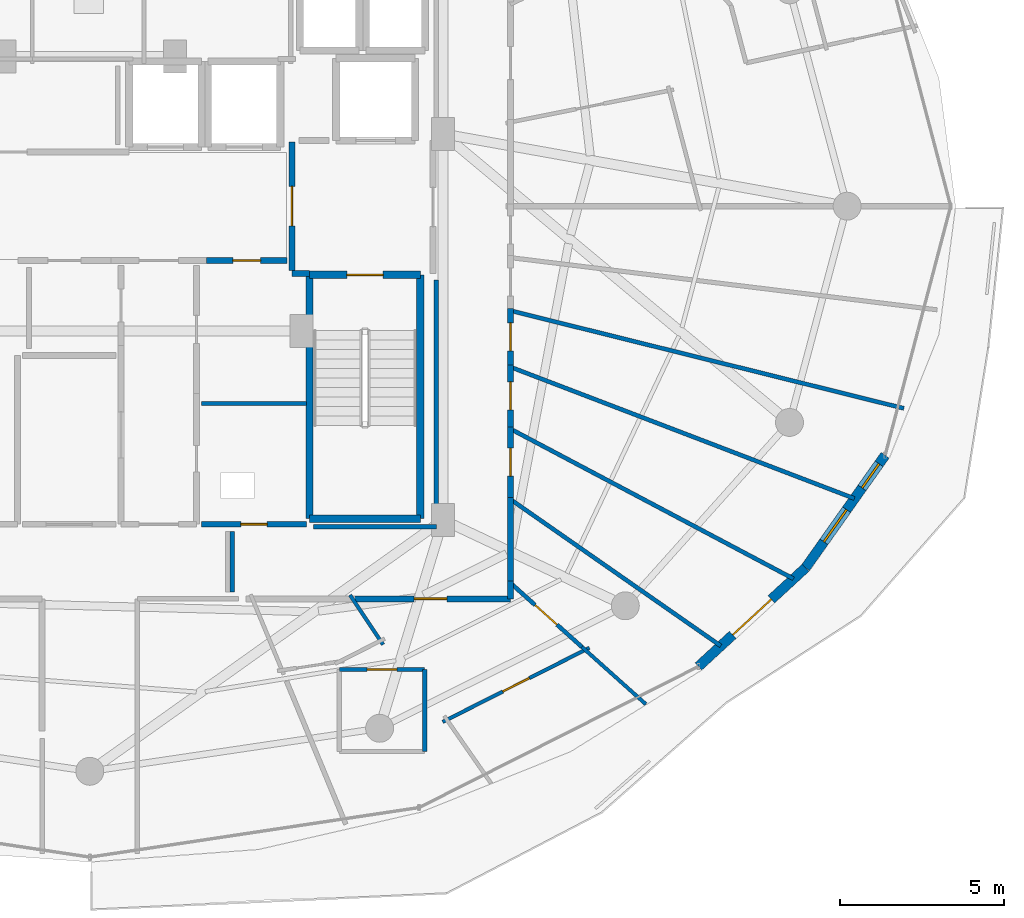
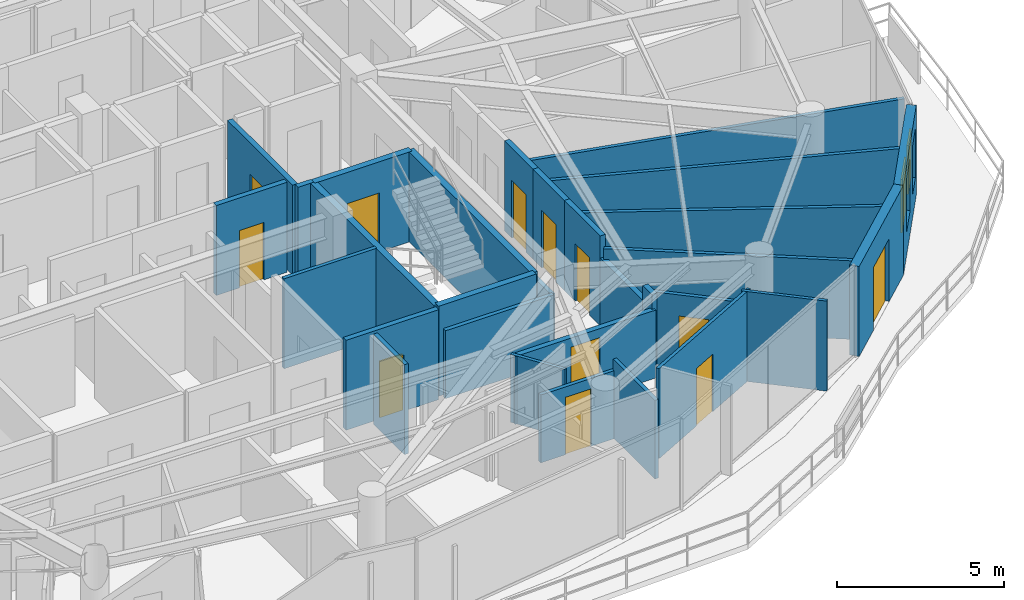
# One storey, part 23 of 29: 30 walls, 12 doors, 2 windows, 14 openings.
"""IFC4 building model written with IfcOpenShell, lengths in metres."""

from ifc_helpers import new_model, si_unit, direction, frame, frame_2d, origin, place, context, subcontext, project, spatial, rectangle, extrude, material, layer, layer_set, type_object, element, fill, save


model = new_model("IFC4")

# Units and contexts
model_context = context("Model", 3, precision=1e-05, world=origin(), true_north=direction((0.0, 1.0)))
body_context = subcontext(model_context, "Body", "Model", "MODEL_VIEW")
ifc_project = project(units=[si_unit("LENGTHUNIT", "METRE"), si_unit("AREAUNIT", "SQUARE_METRE"), si_unit("VOLUMEUNIT", "CUBIC_METRE"), si_unit("PLANEANGLEUNIT", "RADIAN"), si_unit("MASSUNIT", "GRAM", prefix="KILO")], contexts=[model_context])

# Site, building, storey
site_placement = place(None, origin())
site = spatial("IfcSite", under=ifc_project, at=site_placement, CompositionType="ELEMENT")
building_placement = place(site_placement, origin())
building = spatial("IfcBuilding", under=site, at=building_placement, Name="Vorneva Point Tower", CompositionType="ELEMENT")
storey_placement = place(building_placement, frame((0.0, 0.0, 255.550048828125)))
storey = spatial("IfcBuildingStorey", under=building, at=storey_placement, Name="L69", CompositionType="ELEMENT", Elevation=255.550048828125)

# Wall, opening, door
ifc_material_1 = material(Name="Precast concrete B50 (C40/50)", Category="concrete")
ifc_layer_1 = layer(ifc_material_1, 0.300048828125)
ifc_layer_set_1 = layer_set([ifc_layer_1], Name="Precast concrete B50 (C40/50)")
wall_type_1 = type_object("IfcWallType", Name="WL-EXT-300", PredefinedType="STANDARD", material=ifc_layer_set_1)
wall_1_placement = place(storey_placement, frame((56.526123046875, 11.9921875, 0.0), z_axis=(0.0, 0.0, 1.0), x_axis=(0.735445373611, 0.677584018727, 0.0)))
wall_1 = element("IfcWall", 1, at=wall_1_placement, inside=storey, type_object=wall_type_1, Name="L69 Pale-Metal Facade Spandrel Wall 15.1", PredefinedType="STANDARD", context=body_context, shape_type="SweptSolid", body=[
    extrude(rectangle(XDim=4.430419921875, YDim=0.300048828125, at=frame_2d((2.21533203125, 0.0))), origin(), (0.0, 0.0, 1.0), 3.2900390625),
])
opening_1_placement = place(wall_1_placement, frame((1.415283203125, 0.0, 0.0)))
opening_1 = element("IfcOpeningElement", 2, at=opening_1_placement, cuts=wall_1, Name="Opening BD-01", PredefinedType="OPENING", context=body_context, shape_type="SweptSolid", body=[
    extrude(rectangle(XDim=1.60009765625, YDim=2.300048828125, at=frame_2d((0.800048828125, 1.14990234375))), frame((0.0, 0.1650390625, 0.0), z_axis=(0.0, -1.0, 0.0), x_axis=(1.0, 0.0, 0.0)), (0.0, 0.0, 1.0), 0.329833984375),
])
ifc_material_2 = material(Name="Pale anodised aluminium", Category="aluminium")
door_type_1 = type_object("IfcDoorType", Name="DR-BAL-1600", OperationType="SLIDING_TO_LEFT", PredefinedType="DOOR", material=ifc_material_2)
door_1_placement = place(opening_1_placement, origin())
door_1 = element("IfcDoor", 3, at=door_1_placement, inside=storey, type_object=door_type_1, Name="L69 Balcony Terrace Access Door 15", OperationType="SLIDING_TO_LEFT", OverallHeight=2.300048828125, OverallWidth=1.60009765625, PredefinedType="DOOR", context=body_context, shape_type="SweptSolid", body=[
    extrude(rectangle(XDim=1.60009765625, YDim=2.300048828125, at=frame_2d((0.800048828125, 1.14990234375))), frame((0.0, 0.02490234375, 0.0), z_axis=(0.0, -1.0, 0.0), x_axis=(1.0, 0.0, 0.0)), (0.0, 0.0, 1.0), 0.050048828125),
])
fill(opening_1, door_1)

# Wall, openings, windows
wall_2_placement = place(storey_placement, frame((59.784423828125, 14.994140625, 0.0), z_axis=(0.0, 0.0, 1.0), x_axis=(0.577261247247, 0.816559521668, 0.0)))
wall_2 = element("IfcWall", 4, at=wall_2_placement, inside=storey, type_object=wall_type_1, Name="L69 Pale-Metal Facade Spandrel Wall 15.2", PredefinedType="STANDARD", context=body_context, shape_type="SweptSolid", body=[
    extrude(rectangle(XDim=4.194091796875, YDim=0.300048828125, at=frame_2d((2.09716796875, 0.0))), origin(), (0.0, 0.0, 1.0), 3.2900390625),
])
opening_2_placement = place(wall_2_placement, frame((0.966064453125, 0.0, 0.85009765625)))
opening_2 = element("IfcOpeningElement", 5, at=opening_2_placement, cuts=wall_2, Name="Opening W-04", PredefinedType="OPENING", context=body_context, shape_type="SweptSolid", body=[
    extrude(rectangle(XDim=1.199951171875, YDim=1.949951171875, at=frame_2d((0.60009765625, 0.97509765625))), frame((0.0, 0.1650390625, 0.0), z_axis=(0.0, -1.0, 0.0), x_axis=(1.0, 0.0, 0.0)), (0.0, 0.0, 1.0), 0.329833984375),
])
opening_3_placement = place(wall_2_placement, frame((2.976806640625, 0.0, 0.85009765625)))
opening_3 = element("IfcOpeningElement", 6, at=opening_3_placement, cuts=wall_2, Name="Opening W-08", PredefinedType="OPENING", context=body_context, shape_type="SweptSolid", body=[
    extrude(rectangle(XDim=0.89990234375, YDim=1.800048828125, at=frame_2d((0.449951171875, 0.89990234375))), frame((0.0, 0.1650390625, 0.0), z_axis=(0.0, -1.0, 0.0), x_axis=(1.0, 0.0, 0.0)), (0.0, 0.0, 1.0), 0.329833984375),
])
ifc_material_3 = material(Name="Double low-e laminated glass IGU", Category="glass")
window_type_1 = type_object("IfcWindowType", Name="WN-CAS-900", PartitioningType="SINGLE_PANEL", PredefinedType="WINDOW", material=ifc_material_3)
window_1_placement = place(opening_3_placement, origin())
window_1 = element("IfcWindow", 7, at=window_1_placement, inside=storey, type_object=window_type_1, Name="L69 Dwelling Vision Window 05", OverallHeight=1.800048828125, OverallWidth=0.89990234375, PartitioningType="SINGLE_PANEL", PredefinedType="WINDOW", context=body_context, shape_type="SweptSolid", body=[
    extrude(rectangle(XDim=0.89990234375, YDim=1.800048828125, at=frame_2d((0.449951171875, 0.89990234375))), frame((0.0, 0.030029296875, 0.0), z_axis=(0.0, -1.0, 0.0), x_axis=(1.0, 0.0, 0.0)), (0.0, 0.0, 1.0), 0.06005859375),
])
fill(opening_3, window_1)
window_type_2 = type_object("IfcWindowType", Name="WN-RES-1200", PartitioningType="SINGLE_PANEL", PredefinedType="WINDOW", material=ifc_material_3)
window_2_placement = place(opening_2_placement, origin())
window_2 = element("IfcWindow", 8, at=window_2_placement, inside=storey, type_object=window_type_2, Name="L69 Dwelling Vision Window 04", OverallHeight=1.949951171875, OverallWidth=1.199951171875, PartitioningType="SINGLE_PANEL", PredefinedType="WINDOW", context=body_context, shape_type="SweptSolid", body=[
    extrude(rectangle(XDim=1.199951171875, YDim=1.949951171875, at=frame_2d((0.60009765625, 0.97509765625))), frame((0.0, 0.030029296875, 0.0), z_axis=(0.0, -1.0, 0.0), x_axis=(1.0, 0.0, 0.0)), (0.0, 0.0, 1.0), 0.06005859375),
])
fill(opening_2, window_2)

# Wall
ifc_material_4 = material(Name="Fire-rated acoustic gypsum stud partition", Category="gypsum")
ifc_layer_2 = layer(ifc_material_4, 0.110107421875)
ifc_layer_set_2 = layer_set([ifc_layer_2], Name="Fire-rated acoustic gypsum stud partition")
wall_type_2 = type_object("IfcWallType", Name="WL-PART-110", PredefinedType="PARTITIONING", material=ifc_layer_set_2)
wall_3_placement = place(storey_placement, frame((45.918212890625, 14.16650390625, 0.0), z_axis=(0.0, 0.0, 1.0), x_axis=(0.555785343288, -0.831325839961, 0.0)))
element("IfcWall", 9, at=wall_3_placement, inside=storey, type_object=wall_type_2, Name="L69 Interior Partition 107", PredefinedType="PARTITIONING", context=body_context, shape_type="SweptSolid", body=[
    extrude(rectangle(XDim=1.81640625, YDim=0.110107421875, at=frame_2d((0.908203125, 0.0))), origin(), (0.0, 0.0, 1.0), 2.48193359375),
])

# Wall, opening, door
wall_4_placement = place(storey_placement, frame((48.743896484375, 10.304931640625, 0.0), z_axis=(0.0, 0.0, 1.0), x_axis=(0.892523078089, 0.45100172403, 0.0)))
wall_4 = element("IfcWall", 10, at=wall_4_placement, inside=storey, type_object=wall_type_2, Name="L69 Interior Partition 111", PredefinedType="PARTITIONING", context=body_context, shape_type="SweptSolid", body=[
    extrude(rectangle(XDim=4.995849609375, YDim=0.110107421875, at=frame_2d((2.498046875, 0.0))), origin(), (0.0, 0.0, 1.0), 3.2900390625),
])
opening_4_placement = place(wall_4_placement, frame((2.048095703125, 0.0, 0.0)))
opening_4 = element("IfcOpeningElement", 11, at=opening_4_placement, cuts=wall_4, Name="Opening ID-01", PredefinedType="OPENING", context=body_context, shape_type="SweptSolid", body=[
    extrude(rectangle(XDim=0.89990234375, YDim=2.10009765625, at=frame_2d((0.449951171875, 1.050048828125))), frame((0.0, 0.06982421875, 0.0), z_axis=(0.0, -1.0, 0.0), x_axis=(1.0, 0.0, 0.0)), (0.0, 0.0, 1.0), 0.139892578125),
])
ifc_material_5 = material(Name="Engineered oak fire-rated door leaf", Category="wood")
door_type_2 = type_object("IfcDoorType", Name="DR-ROOM-900", OperationType="NOTDEFINED", PredefinedType="DOOR", material=ifc_material_5)
door_2_placement = place(opening_4_placement, origin())
door_2 = element("IfcDoor", 12, at=door_2_placement, inside=storey, type_object=door_type_2, Name="L69 Door Living and Dining Room L69-03 / Kitchen L69-03", OperationType="SINGLE_SWING_RIGHT", OverallHeight=2.10009765625, OverallWidth=0.89990234375, PredefinedType="DOOR", context=body_context, shape_type="SweptSolid", body=[
    extrude(rectangle(XDim=0.89990234375, YDim=2.10009765625, at=frame_2d((0.449951171875, 1.050048828125))), frame((0.0, 0.02490234375, 0.0), z_axis=(0.0, -1.0, 0.0), x_axis=(1.0, 0.0, 0.0)), (0.0, 0.0, 1.0), 0.050048828125),
])
fill(opening_4, door_2)

# Walls
wall_5_placement = place(storey_placement, frame((52.9736328125, 12.58837890625, 0.0), z_axis=(0.0, 0.0, 1.0), x_axis=(0.744980199756, -0.667086577568, 0.0)))
element("IfcWall", 13, at=wall_5_placement, inside=storey, type_object=wall_type_2, Name="L69 Interior Partition 112", PredefinedType="PARTITIONING", context=body_context, shape_type="SweptSolid", body=[
    extrude(rectangle(XDim=2.6171875, YDim=0.110107421875, at=frame_2d((1.30859375, 0.0))), origin(), (0.0, 0.0, 1.0), 3.2900390625),
])
ifc_layer_3 = layer(ifc_material_4, 0.125)
ifc_layer_set_3 = layer_set([ifc_layer_3], Name="Fire-rated acoustic gypsum stud partition")
wall_type_3 = type_object("IfcWallType", Name="WL-PART-125", PredefinedType="PARTITIONING", material=ifc_layer_set_3)
wall_6_placement = place(storey_placement, frame((44.60009765625, 20.0, 0.0), z_axis=(0.0, 0.0, 1.0), x_axis=(-1.0, 0.0, 0.0)))
element("IfcWall", 14, at=wall_6_placement, inside=storey, type_object=wall_type_3, Name="L69 Interior Partition 020", PredefinedType="PARTITIONING", context=body_context, shape_type="SweptSolid", body=[
    extrude(rectangle(XDim=3.2001953125, YDim=0.125, at=frame_2d((1.60009765625, 0.0))), origin(), (0.0, 0.0, 1.0), 3.2900390625),
])

# Wall, opening, door
wall_7_placement = place(storey_placement, frame((48.194091796875, 11.902099609375, 0.0), z_axis=(0.0, 0.0, 1.0), x_axis=(-1.0, 0.0, 0.0)))
wall_7 = element("IfcWall", 15, at=wall_7_placement, inside=storey, type_object=wall_type_3, Name="L69 Interior Partition 114", PredefinedType="PARTITIONING", context=body_context, shape_type="SweptSolid", body=[
    extrude(rectangle(XDim=2.60009765625, YDim=0.125, at=frame_2d((1.300048828125, 0.0))), origin(), (0.0, 0.0, 1.0), 2.48193359375),
])
opening_5_placement = place(wall_7_placement, frame((0.85009765625, 0.0, 0.0)))
opening_5 = element("IfcOpeningElement", 16, at=opening_5_placement, cuts=wall_7, Name="Opening ID-01", PredefinedType="OPENING", context=body_context, shape_type="SweptSolid", body=[
    extrude(rectangle(XDim=0.89990234375, YDim=2.10009765625, at=frame_2d((0.449951171875, 1.050048828125))), frame((0.0, 0.077392578125, 0.0), z_axis=(0.0, -1.0, 0.0), x_axis=(1.0, 0.0, 0.0)), (0.0, 0.0, 1.0), 0.15478515625),
])
door_3_placement = place(opening_5_placement, origin())
door_3 = element("IfcDoor", 17, at=door_3_placement, inside=storey, type_object=door_type_2, Name="L69 Door Living and Dining Room L69-03 / Study Room L69-03", OperationType="SINGLE_SWING_LEFT", OverallHeight=2.10009765625, OverallWidth=0.89990234375, PredefinedType="DOOR", context=body_context, shape_type="SweptSolid", body=[
    extrude(rectangle(XDim=0.89990234375, YDim=2.10009765625, at=frame_2d((0.449951171875, 1.050048828125))), frame((0.0, 0.02490234375, 0.0), z_axis=(0.0, -1.0, 0.0), x_axis=(1.0, 0.0, 0.0)), (0.0, 0.0, 1.0), 0.050048828125),
])
fill(opening_5, door_3)

# Wall
wall_8_placement = place(storey_placement, frame((48.194091796875, 9.402099609375, 0.0), z_axis=(0.0, 0.0, 1.0), x_axis=(0.0, 1.0, 0.0)))
element("IfcWall", 18, at=wall_8_placement, inside=storey, type_object=wall_type_3, Name="L69 Interior Partition 117", PredefinedType="PARTITIONING", context=body_context, shape_type="SweptSolid", body=[
    extrude(rectangle(XDim=2.5, YDim=0.125, at=frame_2d((1.25, 0.0))), origin(), (0.0, 0.0, 1.0), 2.8740234375),
])

# Wall, opening, door
wall_9_placement = place(storey_placement, frame((52.9736328125, 12.58837890625, 0.0), z_axis=(0.0, 0.0, 1.0), x_axis=(-0.744943619707, 0.667127426702, 0.0)))
wall_9 = element("IfcWall", 19, at=wall_9_placement, inside=storey, type_object=wall_type_3, Name="L69 Interior Partition 118", PredefinedType="PARTITIONING", context=body_context, shape_type="SweptSolid", body=[
    extrude(rectangle(XDim=2.917724609375, YDim=0.125, at=frame_2d((1.458984375, 0.0))), origin(), (0.0, 0.0, 1.0), 2.8740234375),
])
opening_6_placement = place(wall_9_placement, frame((1.009033203125, 0.0, 0.0)))
opening_6 = element("IfcOpeningElement", 20, at=opening_6_placement, cuts=wall_9, Name="Opening ID-01", PredefinedType="OPENING", context=body_context, shape_type="SweptSolid", body=[
    extrude(rectangle(XDim=0.89990234375, YDim=2.10009765625, at=frame_2d((0.449951171875, 1.050048828125))), frame((0.0, 0.077392578125, 0.0), z_axis=(0.0, -1.0, 0.0), x_axis=(1.0, 0.0, 0.0)), (0.0, 0.0, 1.0), 0.15478515625),
])
door_4_placement = place(opening_6_placement, origin())
door_4 = element("IfcDoor", 21, at=door_4_placement, inside=storey, type_object=door_type_2, Name="L69 Door Living and Dining Room L69-03 / Master Bedroom L69-03.1", OperationType="SINGLE_SWING_RIGHT", OverallHeight=2.10009765625, OverallWidth=0.89990234375, PredefinedType="DOOR", context=body_context, shape_type="SweptSolid", body=[
    extrude(rectangle(XDim=0.89990234375, YDim=2.10009765625, at=frame_2d((0.449951171875, 1.050048828125))), frame((0.0, 0.02490234375, 0.0), z_axis=(0.0, -1.0, 0.0), x_axis=(1.0, 0.0, 0.0)), (0.0, 0.0, 1.0), 0.050048828125),
])
fill(opening_6, door_4)

# Walls
wall_10_placement = place(storey_placement, frame((57.202880859375, 12.616943359375, 0.0), z_axis=(0.0, 0.0, 1.0), x_axis=(-0.820423513177, 0.571756293386, 0.0)))
element("IfcWall", 22, at=wall_10_placement, inside=storey, type_object=wall_type_3, Name="L69 Interior Partition 119", PredefinedType="PARTITIONING", context=body_context, shape_type="SweptSolid", body=[
    extrude(rectangle(XDim=7.80419921875, YDim=0.125, at=frame_2d((3.902099609375, 0.0))), origin(), (0.0, 0.0, 1.0), 2.8740234375),
])
wall_11_placement = place(storey_placement, frame((59.4169921875, 14.659912109375, 0.0), z_axis=(0.0, 0.0, 1.0), x_axis=(-0.883742233358, 0.467974000325, 0.0)))
element("IfcWall", 23, at=wall_11_placement, inside=storey, type_object=wall_type_3, Name="L69 Interior Partition 120", PredefinedType="PARTITIONING", context=body_context, shape_type="SweptSolid", body=[
    extrude(rectangle(XDim=9.75048828125, YDim=0.125, at=frame_2d((4.875244140625, 0.0))), origin(), (0.0, 0.0, 1.0), 2.8740234375),
])
wall_12_placement = place(storey_placement, frame((61.27099609375, 17.10205078125, 0.0), z_axis=(0.0, 0.0, 1.0), x_axis=(-0.934042646632, 0.357161496066, 0.0)))
element("IfcWall", 24, at=wall_12_placement, inside=storey, type_object=wall_type_3, Name="L69 Interior Partition 121", PredefinedType="PARTITIONING", context=body_context, shape_type="SweptSolid", body=[
    extrude(rectangle(XDim=11.21044921875, YDim=0.125, at=frame_2d((5.605224609375, 0.0))), origin(), (0.0, 0.0, 1.0), 2.8740234375),
])
wall_13_placement = place(storey_placement, frame((62.77587890625, 19.845947265625, 0.0), z_axis=(0.0, 0.0, 1.0), x_axis=(-0.970519565335, 0.241022350211, 0.0)))
element("IfcWall", 25, at=wall_13_placement, inside=storey, type_object=wall_type_3, Name="L69 Interior Partition 122", PredefinedType="PARTITIONING", context=body_context, shape_type="SweptSolid", body=[
    extrude(rectangle(XDim=12.339599609375, YDim=0.125, at=frame_2d((6.169921875, 0.0))), origin(), (0.0, 0.0, 1.0), 2.48193359375),
])
ifc_layer_4 = layer(ifc_material_4, 0.139892578125)
ifc_layer_set_4 = layer_set([ifc_layer_4], Name="Fire-rated acoustic gypsum stud partition")
wall_type_4 = type_object("IfcWallType", Name="WL-PART-140", PredefinedType="PARTITIONING", material=ifc_layer_set_4)
wall_14_placement = place(storey_placement, frame((42.340087890625, 14.25, 0.0), z_axis=(0.0, 0.0, 1.0), x_axis=(0.0, 1.0, 0.0)))
element("IfcWall", 26, at=wall_14_placement, inside=storey, type_object=wall_type_4, Name="L69 Interior Closure Partition 158", PredefinedType="PARTITIONING", context=body_context, shape_type="SweptSolid", body=[
    extrude(rectangle(XDim=1.85009765625, YDim=0.139892578125, at=frame_2d((0.925048828125, 0.0))), origin(), (0.0, 0.0, 1.0), 3.2900390625),
])
wall_15_placement = place(storey_placement, frame((44.804931640625, 16.239990234375, 0.0), z_axis=(0.0, 0.0, 1.0), x_axis=(1.0, 0.0, 0.0)))
element("IfcWall", 27, at=wall_15_placement, inside=storey, type_object=wall_type_4, Name="L69 Interior Closure Partition 159", PredefinedType="PARTITIONING", context=body_context, shape_type="SweptSolid", body=[
    extrude(rectangle(XDim=3.7451171875, YDim=0.139892578125, at=frame_2d((1.87255859375, 0.0))), origin(), (0.0, 0.0, 1.0), 2.48193359375),
])
wall_16_placement = place(storey_placement, frame((48.550048828125, 16.239990234375, 0.0), z_axis=(0.0, 0.0, 1.0), x_axis=(0.0, 1.0, 0.0)))
element("IfcWall", 28, at=wall_16_placement, inside=storey, type_object=wall_type_4, Name="L69 Interior Closure Partition 160", PredefinedType="PARTITIONING", context=body_context, shape_type="SweptSolid", body=[
    extrude(rectangle(XDim=7.513916015625, YDim=0.139892578125, at=frame_2d((3.7568359375, 0.0))), origin(), (0.0, 0.0, 1.0), 2.48193359375),
])

# Wall, opening, door
ifc_material_6 = material(Name="Autoclaved aerated concrete blockwork", Category="masonry")
ifc_layer_5 = layer(ifc_material_6, 0.179931640625)
ifc_layer_set_5 = layer_set([ifc_layer_5], Name="Autoclaved aerated concrete blockwork")
wall_type_5 = type_object("IfcWallType", Name="WL-PART-180", PredefinedType="PARTITIONING", material=ifc_layer_set_5)
wall_17_placement = place(storey_placement, frame((44.14990234375, 27.955078125, 0.0), z_axis=(0.0, 0.0, 1.0), x_axis=(0.0, -1.0, 0.0)))
wall_17 = element("IfcWall", 29, at=wall_17_placement, inside=storey, type_object=wall_type_5, Name="L69 Interior Partition 003", PredefinedType="PARTITIONING", context=body_context, shape_type="SweptSolid", body=[
    extrude(rectangle(XDim=3.91015625, YDim=0.179931640625, at=frame_2d((1.955078125, 0.0))), origin(), (0.0, 0.0, 1.0), 3.2900390625),
])
opening_7_placement = place(wall_17_placement, frame((1.35498046875, 0.0, 0.0)))
opening_7 = element("IfcOpeningElement", 30, at=opening_7_placement, cuts=wall_17, Name="Opening FD-02", PredefinedType="OPENING", context=body_context, shape_type="SweptSolid", body=[
    extrude(rectangle(XDim=1.199951171875, YDim=2.14990234375, at=frame_2d((0.60009765625, 1.074951171875))), frame((0.0, 0.10498046875, 0.0), z_axis=(0.0, -1.0, 0.0), x_axis=(1.0, 0.0, 0.0)), (0.0, 0.0, 1.0), 0.209716796875),
])
ifc_material_7 = material(Name="Fire-rated powder-coated steel", Category="steel")
door_type_3 = type_object("IfcDoorType", Name="DR-FFL-1200", OperationType="NOTDEFINED", PredefinedType="DOOR", material=ifc_material_7)
door_5_placement = place(opening_7_placement, origin())
door_5 = element("IfcDoor", 31, at=door_5_placement, inside=storey, type_object=door_type_3, Name="L69 Door East Firefighting Lobby / Central Lift Lobby", OperationType="SINGLE_SWING_LEFT", OverallHeight=2.14990234375, OverallWidth=1.199951171875, PredefinedType="DOOR", context=body_context, shape_type="SweptSolid", body=[
    extrude(rectangle(XDim=1.199951171875, YDim=2.14990234375, at=frame_2d((0.60009765625, 1.074951171875))), frame((0.0, 0.02490234375, 0.0), z_axis=(0.0, -1.0, 0.0), x_axis=(1.0, 0.0, 0.0)), (0.0, 0.0, 1.0), 0.050048828125),
])
fill(opening_7, door_5)

# Wall
wall_18_placement = place(storey_placement, frame((44.14990234375, 23.949951171875, 0.0), z_axis=(0.0, 0.0, 1.0), x_axis=(1.0, 0.0, 0.0)))
element("IfcWall", 32, at=wall_18_placement, inside=storey, type_object=wall_type_5, Name="L69 Interior Partition 004", PredefinedType="PARTITIONING", context=body_context, shape_type="SweptSolid", body=[
    extrude(rectangle(XDim=0.5400390625, YDim=0.179931640625, at=frame_2d((0.27001953125, 0.0))), origin(), (0.0, 0.0, 1.0), 3.2900390625),
])

# Wall, opening, door
wall_19_placement = place(storey_placement, frame((41.554931640625, 24.35009765625, 0.0), z_axis=(0.0, 0.0, 1.0), x_axis=(1.0, 0.0, 0.0)))
wall_19 = element("IfcWall", 33, at=wall_19_placement, inside=storey, type_object=wall_type_5, Name="L69 Interior Partition 011", PredefinedType="PARTITIONING", context=body_context, shape_type="SweptSolid", body=[
    extrude(rectangle(XDim=2.445068359375, YDim=0.179931640625, at=frame_2d((1.22265625, 0.0))), origin(), (0.0, 0.0, 1.0), 3.2900390625),
])
opening_8_placement = place(wall_19_placement, frame((0.797607421875, 0.0, 0.0)))
opening_8 = element("IfcOpeningElement", 34, at=opening_8_placement, cuts=wall_19, Name="Opening ID-02", PredefinedType="OPENING", context=body_context, shape_type="SweptSolid", body=[
    extrude(rectangle(XDim=0.85009765625, YDim=2.10009765625, at=frame_2d((0.425048828125, 1.050048828125))), frame((0.0, 0.10498046875, 0.0), z_axis=(0.0, -1.0, 0.0), x_axis=(1.0, 0.0, 0.0)), (0.0, 0.0, 1.0), 0.209716796875),
])
door_type_4 = type_object("IfcDoorType", Name="DR-BATH-850", OperationType="NOTDEFINED", PredefinedType="DOOR", material=ifc_material_5)
door_6_placement = place(opening_8_placement, origin())
door_6 = element("IfcDoor", 35, at=door_6_placement, inside=storey, type_object=door_type_4, Name="L69 Door Central Lift Lobby / Valet and Parcel Room", OperationType="SINGLE_SWING_RIGHT", OverallHeight=2.10009765625, OverallWidth=0.85009765625, PredefinedType="DOOR", context=body_context, shape_type="SweptSolid", body=[
    extrude(rectangle(XDim=0.85009765625, YDim=2.10009765625, at=frame_2d((0.425048828125, 1.050048828125))), frame((0.0, 0.02490234375, 0.0), z_axis=(0.0, -1.0, 0.0), x_axis=(1.0, 0.0, 0.0)), (0.0, 0.0, 1.0), 0.050048828125),
])
fill(opening_8, door_6)

wall_20_placement = place(storey_placement, frame((41.39990234375, 16.320068359375, 0.0), z_axis=(0.0, 0.0, 1.0), x_axis=(1.0, 0.0, 0.0)))
wall_20 = element("IfcWall", 36, at=wall_20_placement, inside=storey, type_object=wall_type_5, Name="L69 Interior Partition 021", PredefinedType="PARTITIONING", context=body_context, shape_type="SweptSolid", body=[
    extrude(rectangle(XDim=3.2001953125, YDim=0.179931640625, at=frame_2d((1.60009765625, 0.0))), origin(), (0.0, 0.0, 1.0), 3.2900390625),
])
opening_9_placement = place(wall_20_placement, frame((1.199951171875, 0.0, 0.0)))
opening_9 = element("IfcOpeningElement", 37, at=opening_9_placement, cuts=wall_20, Name="Opening RD-01", PredefinedType="OPENING", context=body_context, shape_type="SweptSolid", body=[
    extrude(rectangle(XDim=0.800048828125, YDim=2.050048828125, at=frame_2d((0.39990234375, 1.02490234375))), frame((0.0, 0.10498046875, 0.0), z_axis=(0.0, -1.0, 0.0), x_axis=(1.0, 0.0, 0.0)), (0.0, 0.0, 1.0), 0.209716796875),
])
door_type_5 = type_object("IfcDoorType", Name="DR-RSR-800", OperationType="SINGLE_SWING_LEFT", PredefinedType="DOOR", material=ifc_material_7)
door_7_placement = place(opening_9_placement, origin())
door_7 = element("IfcDoor", 38, at=door_7_placement, inside=storey, type_object=door_type_5, Name="L69 Door Electrical Riser / L69 Circulation Corridor", OperationType="SINGLE_SWING_LEFT", OverallHeight=2.050048828125, OverallWidth=0.800048828125, PredefinedType="DOOR", context=body_context, shape_type="SweptSolid", body=[
    extrude(rectangle(XDim=0.800048828125, YDim=2.050048828125, at=frame_2d((0.39990234375, 1.02490234375))), frame((0.0, 0.02490234375, 0.0), z_axis=(0.0, -1.0, 0.0), x_axis=(1.0, 0.0, 0.0)), (0.0, 0.0, 1.0), 0.050048828125),
])
fill(opening_9, door_7)

wall_21_placement = place(storey_placement, frame((45.93603515625, 14.050048828125, 0.0), z_axis=(0.0, 0.0, 1.0), x_axis=(1.0, 0.0, 0.0)))
wall_21 = element("IfcWall", 39, at=wall_21_placement, inside=storey, type_object=wall_type_5, Name="L69 Interior Partition 048", PredefinedType="PARTITIONING", context=body_context, shape_type="SweptSolid", body=[
    extrude(rectangle(XDim=4.864013671875, YDim=0.179931640625, at=frame_2d((2.43212890625, 0.0))), origin(), (0.0, 0.0, 1.0), 2.48193359375),
])
opening_10_placement = place(wall_21_placement, frame((1.931884765625, 0.0, 0.0)))
opening_10 = element("IfcOpeningElement", 40, at=opening_10_placement, cuts=wall_21, Name="Opening UD-01", PredefinedType="OPENING", context=body_context, shape_type="SweptSolid", body=[
    extrude(rectangle(XDim=1.0, YDim=2.14990234375, at=frame_2d((0.5, 1.074951171875))), frame((0.0, 0.10498046875, 0.0), z_axis=(0.0, -1.0, 0.0), x_axis=(1.0, 0.0, 0.0)), (0.0, 0.0, 1.0), 0.209716796875),
])
door_type_6 = type_object("IfcDoorType", Name="DR-UNIT-1000", OperationType="NOTDEFINED", PredefinedType="DOOR", material=ifc_material_5)
door_8_placement = place(opening_10_placement, origin())
door_8 = element("IfcDoor", 41, at=door_8_placement, inside=storey, type_object=door_type_6, Name="L69 Door L69 Circulation Corridor / Living and Dining Room L69-03", OperationType="SINGLE_SWING_LEFT", OverallHeight=2.14990234375, OverallWidth=1.0, PredefinedType="DOOR", context=body_context, shape_type="SweptSolid", body=[
    extrude(rectangle(XDim=1.0, YDim=2.14990234375, at=frame_2d((0.5, 1.074951171875))), frame((0.0, 0.02490234375, 0.0), z_axis=(0.0, -1.0, 0.0), x_axis=(1.0, 0.0, 0.0)), (0.0, 0.0, 1.0), 0.050048828125),
])
fill(opening_10, door_8)

# Walls
wall_22_placement = place(storey_placement, frame((50.800048828125, 14.050048828125, 0.0), z_axis=(0.0, 0.0, 1.0), x_axis=(0.0, 1.0, 0.0)))
element("IfcWall", 42, at=wall_22_placement, inside=storey, type_object=wall_type_5, Name="L69 Interior Partition 049", PredefinedType="PARTITIONING", context=body_context, shape_type="SweptSolid", body=[
    extrude(rectangle(XDim=0.544921875, YDim=0.179931640625, at=frame_2d((0.2724609375, 0.0))), origin(), (0.0, 0.0, 1.0), 3.02197265625),
])
wall_23_placement = place(storey_placement, frame((50.800048828125, 14.594970703125, 0.0), z_axis=(0.0, 0.0, 1.0), x_axis=(0.0, 1.0, 0.0)))
element("IfcWall", 43, at=wall_23_placement, inside=storey, type_object=wall_type_5, Name="L69 Interior Partition 051", PredefinedType="PARTITIONING", context=body_context, shape_type="SweptSolid", body=[
    extrude(rectangle(XDim=2.5439453125, YDim=0.179931640625, at=frame_2d((1.27197265625, 0.0))), origin(), (0.0, 0.0, 1.0), 2.48193359375),
])

# Wall, opening, door
wall_24_placement = place(storey_placement, frame((50.800048828125, 17.138916015625, 0.0), z_axis=(0.0, 0.0, 1.0), x_axis=(0.0, 1.0, 0.0)))
wall_24 = element("IfcWall", 44, at=wall_24_placement, inside=storey, type_object=wall_type_5, Name="L69 Interior Partition 052", PredefinedType="PARTITIONING", context=body_context, shape_type="SweptSolid", body=[
    extrude(rectangle(XDim=2.14404296875, YDim=0.179931640625, at=frame_2d((1.072021484375, 0.0))), origin(), (0.0, 0.0, 1.0), 3.2900390625),
])
opening_11_placement = place(wall_24_placement, frame((0.64697265625, 0.0, 0.0)))
opening_11 = element("IfcOpeningElement", 45, at=opening_11_placement, cuts=wall_24, Name="Opening ID-02", PredefinedType="OPENING", context=body_context, shape_type="SweptSolid", body=[
    extrude(rectangle(XDim=0.85009765625, YDim=2.10009765625, at=frame_2d((0.425048828125, 1.050048828125))), frame((0.0, 0.10498046875, 0.0), z_axis=(0.0, -1.0, 0.0), x_axis=(1.0, 0.0, 0.0)), (0.0, 0.0, 1.0), 0.209716796875),
])
door_9_placement = place(opening_11_placement, origin())
door_9 = element("IfcDoor", 46, at=door_9_placement, inside=storey, type_object=door_type_4, Name="L69 Access Door L69 Circulation Corridor", OperationType="SINGLE_SWING_LEFT", OverallHeight=2.10009765625, OverallWidth=0.85009765625, PredefinedType="DOOR", context=body_context, shape_type="SweptSolid", body=[
    extrude(rectangle(XDim=0.85009765625, YDim=2.10009765625, at=frame_2d((0.425048828125, 1.050048828125))), frame((0.0, 0.02490234375, 0.0), z_axis=(0.0, -1.0, 0.0), x_axis=(1.0, 0.0, 0.0)), (0.0, 0.0, 1.0), 0.050048828125),
])
fill(opening_11, door_9)

wall_25_placement = place(storey_placement, frame((50.800048828125, 19.282958984375, 0.0), z_axis=(0.0, 0.0, 1.0), x_axis=(0.0, 1.0, 0.0)))
wall_25 = element("IfcWall", 47, at=wall_25_placement, inside=storey, type_object=wall_type_5, Name="L69 Interior Partition 053", PredefinedType="PARTITIONING", context=body_context, shape_type="SweptSolid", body=[
    extrude(rectangle(XDim=1.883056640625, YDim=0.179931640625, at=frame_2d((0.94140625, 0.0))), origin(), (0.0, 0.0, 1.0), 3.2900390625),
])
opening_12_placement = place(wall_25_placement, frame((0.5166015625, 0.0, 0.0)))
opening_12 = element("IfcOpeningElement", 48, at=opening_12_placement, cuts=wall_25, Name="Opening ID-02", PredefinedType="OPENING", context=body_context, shape_type="SweptSolid", body=[
    extrude(rectangle(XDim=0.85009765625, YDim=2.10009765625, at=frame_2d((0.425048828125, 1.050048828125))), frame((0.0, 0.10498046875, 0.0), z_axis=(0.0, -1.0, 0.0), x_axis=(1.0, 0.0, 0.0)), (0.0, 0.0, 1.0), 0.209716796875),
])
door_10_placement = place(opening_12_placement, origin())
door_10 = element("IfcDoor", 49, at=door_10_placement, inside=storey, type_object=door_type_4, Name="L69 Access Door L69 Circulation Corridor", OperationType="SINGLE_SWING_RIGHT", OverallHeight=2.10009765625, OverallWidth=0.85009765625, PredefinedType="DOOR", context=body_context, shape_type="SweptSolid", body=[
    extrude(rectangle(XDim=0.85009765625, YDim=2.10009765625, at=frame_2d((0.425048828125, 1.050048828125))), frame((0.0, 0.02490234375, 0.0), z_axis=(0.0, -1.0, 0.0), x_axis=(1.0, 0.0, 0.0)), (0.0, 0.0, 1.0), 0.050048828125),
])
fill(opening_12, door_10)

wall_26_placement = place(storey_placement, frame((50.800048828125, 21.166015625, 0.0), z_axis=(0.0, 0.0, 1.0), x_axis=(0.0, 1.0, 0.0)))
wall_26 = element("IfcWall", 50, at=wall_26_placement, inside=storey, type_object=wall_type_5, Name="L69 Interior Partition 054", PredefinedType="PARTITIONING", context=body_context, shape_type="SweptSolid", body=[
    extrude(rectangle(XDim=1.7138671875, YDim=0.179931640625, at=frame_2d((0.85693359375, 0.0))), origin(), (0.0, 0.0, 1.0), 3.2900390625),
])
opening_13_placement = place(wall_26_placement, frame((0.431884765625, 0.0, 0.0)))
opening_13 = element("IfcOpeningElement", 51, at=opening_13_placement, cuts=wall_26, Name="Opening ID-02", PredefinedType="OPENING", context=body_context, shape_type="SweptSolid", body=[
    extrude(rectangle(XDim=0.85009765625, YDim=2.10009765625, at=frame_2d((0.425048828125, 1.050048828125))), frame((0.0, 0.10498046875, 0.0), z_axis=(0.0, -1.0, 0.0), x_axis=(1.0, 0.0, 0.0)), (0.0, 0.0, 1.0), 0.209716796875),
])
door_11_placement = place(opening_13_placement, origin())
door_11 = element("IfcDoor", 52, at=door_11_placement, inside=storey, type_object=door_type_4, Name="L69 Access Door L69 Circulation Corridor", OperationType="SINGLE_SWING_LEFT", OverallHeight=2.10009765625, OverallWidth=0.85009765625, PredefinedType="DOOR", context=body_context, shape_type="SweptSolid", body=[
    extrude(rectangle(XDim=0.85009765625, YDim=2.10009765625, at=frame_2d((0.425048828125, 1.050048828125))), frame((0.0, 0.02490234375, 0.0), z_axis=(0.0, -1.0, 0.0), x_axis=(1.0, 0.0, 0.0)), (0.0, 0.0, 1.0), 0.050048828125),
])
fill(opening_13, door_11)

ifc_material_8 = material(Name="Concrete B50 (C40/50)", Category="concrete")
ifc_layer_6 = layer(ifc_material_8, 0.219970703125)
ifc_layer_set_6 = layer_set([ifc_layer_6], Name="Concrete B50 (C40/50)")
wall_type_6 = type_object("IfcWallType", Name="WL-SHFT-220", PredefinedType="SOLIDWALL", material=ifc_layer_set_6)
wall_27_placement = place(storey_placement, frame((44.68994140625, 23.909912109375, 0.0), z_axis=(0.0, 0.0, 1.0), x_axis=(1.0, 0.0, 0.0)))
wall_27 = element("IfcWall", 53, at=wall_27_placement, inside=storey, type_object=wall_type_6, Name="L69 Exit Stair ST2 Shaft Wall near", PredefinedType="SOLIDWALL", context=body_context, shape_type="SweptSolid", body=[
    extrude(rectangle(XDim=3.3701171875, YDim=0.219970703125, at=frame_2d((1.68505859375, 0.0))), origin(), (0.0, 0.0, 1.0), 3.2900390625),
])
opening_14_placement = place(wall_27_placement, frame((1.135009765625, 0.0, 0.0)))
opening_14 = element("IfcOpeningElement", 54, at=opening_14_placement, cuts=wall_27, Name="Opening FD-01", PredefinedType="OPENING", context=body_context, shape_type="SweptSolid", body=[
    extrude(rectangle(XDim=1.10009765625, YDim=2.14990234375, at=frame_2d((0.550048828125, 1.074951171875))), frame((0.0, 0.125, 0.0), z_axis=(0.0, -1.0, 0.0), x_axis=(1.0, 0.0, 0.0)), (0.0, 0.0, 1.0), 0.249755859375),
])
door_type_7 = type_object("IfcDoorType", Name="DR-STAIR-1100", OperationType="NOTDEFINED", PredefinedType="DOOR", material=ifc_material_7)
door_12_placement = place(opening_14_placement, origin())
door_12 = element("IfcDoor", 55, at=door_12_placement, inside=storey, type_object=door_type_7, Name="L69 Exit Stair ST2 Fire Door", OperationType="SINGLE_SWING_RIGHT", OverallHeight=2.14990234375, OverallWidth=1.10009765625, PredefinedType="DOOR", context=body_context, shape_type="SweptSolid", body=[
    extrude(rectangle(XDim=1.10009765625, YDim=2.14990234375, at=frame_2d((0.550048828125, 1.074951171875))), frame((0.0, 0.02490234375, 0.0), z_axis=(0.0, -1.0, 0.0), x_axis=(1.0, 0.0, 0.0)), (0.0, 0.0, 1.0), 0.050048828125),
])
fill(opening_14, door_12)

# Walls
wall_28_placement = place(storey_placement, frame((48.06005859375, 23.909912109375, 0.0), z_axis=(0.0, 0.0, 1.0), x_axis=(0.0, -1.0, 0.0)))
element("IfcWall", 56, at=wall_28_placement, inside=storey, type_object=wall_type_6, Name="L69 Exit Stair ST2 Shaft Wall right", PredefinedType="SOLIDWALL", context=body_context, shape_type="SweptSolid", body=[
    extrude(rectangle(XDim=7.419921875, YDim=0.219970703125, at=frame_2d((3.7099609375, 0.0))), origin(), (0.0, 0.0, 1.0), 3.2900390625),
])
wall_29_placement = place(storey_placement, frame((48.06005859375, 16.489990234375, 0.0), z_axis=(0.0, 0.0, 1.0), x_axis=(-1.0, 0.0, 0.0)))
element("IfcWall", 57, at=wall_29_placement, inside=storey, type_object=wall_type_6, Name="L69 Exit Stair ST2 Shaft Wall far", PredefinedType="SOLIDWALL", context=body_context, shape_type="SweptSolid", body=[
    extrude(rectangle(XDim=3.3701171875, YDim=0.219970703125, at=frame_2d((1.68505859375, 0.0))), origin(), (0.0, 0.0, 1.0), 3.2900390625),
])
wall_30_placement = place(storey_placement, frame((44.68994140625, 16.489990234375, 0.0), z_axis=(0.0, 0.0, 1.0), x_axis=(0.0, 1.0, 0.0)))
element("IfcWall", 58, at=wall_30_placement, inside=storey, type_object=wall_type_6, Name="L69 Exit Stair ST2 Shaft Wall left", PredefinedType="SOLIDWALL", context=body_context, shape_type="SweptSolid", body=[
    extrude(rectangle(XDim=7.419921875, YDim=0.219970703125, at=frame_2d((3.7099609375, 0.0))), origin(), (0.0, 0.0, 1.0), 3.2900390625),
])

save(model, "model.ifc")
